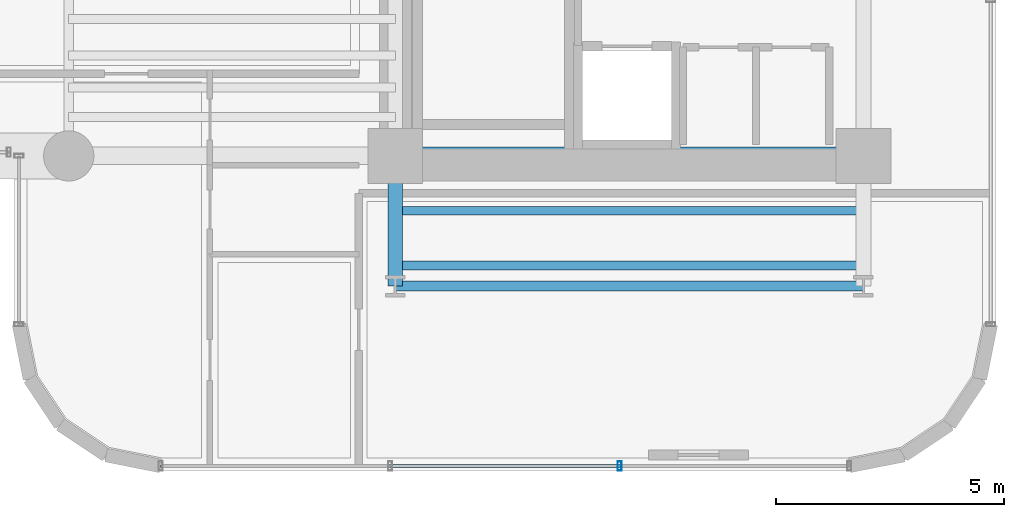
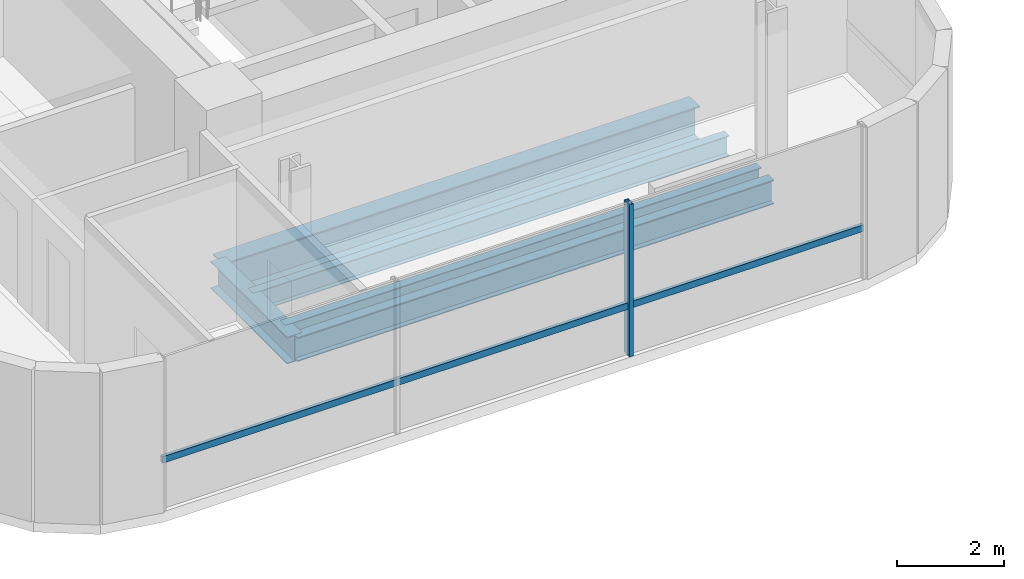
# One storey, part 3 of 38: 5 beams, 2 members, 1 element without a shape of its own.
"""IFC4 building model written with IfcOpenShell, lengths in metres."""

from ifc_helpers import new_model, si_unit, direction, frame, origin, origin_2d, place, context, subcontext, project, spatial, hollow_rectangle, i_section, extrude, source, transform, mapped, material, material_profile, profile_set, type_object, element, aggregate, save


model = new_model("IFC4")

# Units and contexts
model_context = context("Model", 3, precision=1e-05, world=origin(), true_north=direction((0.0, 1.0)))
body_context = subcontext(model_context, "Body", "Model", "MODEL_VIEW")
ifc_project = project(units=[si_unit("LENGTHUNIT", "METRE"), si_unit("AREAUNIT", "SQUARE_METRE"), si_unit("VOLUMEUNIT", "CUBIC_METRE"), si_unit("PLANEANGLEUNIT", "RADIAN"), si_unit("MASSUNIT", "GRAM", prefix="KILO")], contexts=[model_context])

# Site, building, storey
site_placement = place(None, origin())
site = spatial("IfcSite", under=ifc_project, at=site_placement, CompositionType="ELEMENT")
building_placement = place(site_placement, origin())
building = spatial("IfcBuilding", under=site, at=building_placement, Name="Valdorenza Pilgrim Sanctuary Tower", CompositionType="ELEMENT")
storey_placement = place(building_placement, frame((0.0, 0.0, 131.60009765625)))
storey = spatial("IfcBuildingStorey", under=building, at=storey_placement, Name="L33", CompositionType="ELEMENT", Elevation=131.60009765625)

# Beams
ifc_material_1 = material(Name="Steel ASTM A992 Grade 50", Category="steel")
ifc_material_profile_1 = material_profile(ifc_material_1, i_section(OverallWidth=0.214111328125, OverallDepth=0.549072265625, WebThickness=0.0146484375, FlangeThickness=0.023681640625, at=origin_2d()), Name="W21X93")
ifc_profile_set_1 = profile_set([ifc_material_profile_1], Name="Steel ASTM A992 Grade 50")
beam_type_1 = type_object("IfcBeamType", Name="STR-BM-SPN-W21A", PredefinedType="SPANDREL", material=ifc_profile_set_1)
shared_shape_1 = source(origin(), body_context, "Body", "SweptSolid", [
    extrude(i_section(OverallWidth=0.214111328125, OverallDepth=0.549072265625, WebThickness=0.0146484375, FlangeThickness=0.023681640625, at=origin_2d()), origin(), (0.0, 0.0, 1.0), 10.25),
])
beam_1_placement = place(storey_placement, frame((-22.64990234375, -13.449951171875, -0.5146484375), z_axis=(1.0, 0.0, 0.0), x_axis=(0.0, 1.0, 0.0)))
element("IfcBeam", 1, at=beam_1_placement, inside=storey, type_object=beam_type_1, Name="L33 South Spandrel WA-S-TIE", PredefinedType="SPANDREL", context=body_context, shape_type="MappedRepresentation", body=[
    mapped(shared_shape_1, transform((0.0, 0.0, 0.0), x_axis=(1.0, 0.0, 0.0), y_axis=(0.0, 1.0, 0.0), z_axis=(0.0, 0.0, 1.0), scale=1.0)),
])
ifc_material_profile_2 = material_profile(ifc_material_1, i_section(OverallWidth=0.323974609375, OverallDepth=0.611083984375, WebThickness=0.0126953125, FlangeThickness=0.01904296875, at=origin_2d()), Name="W24X104")
ifc_profile_set_2 = profile_set([ifc_material_profile_2], Name="Steel ASTM A992 Grade 50")
beam_type_2 = type_object("IfcBeamType", Name="STR-BM-GRD-W24B", PredefinedType="BEAM", material=ifc_profile_set_2)
shared_shape_2 = source(origin(), body_context, "Body", "SweptSolid", [
    extrude(i_section(OverallWidth=0.323974609375, OverallDepth=0.611083984375, WebThickness=0.0126953125, FlangeThickness=0.01904296875, at=origin_2d()), origin(), (0.0, 0.0, 1.0), 2.849853515625),
])
beam_2_placement = place(storey_placement, frame((-22.64990234375, -13.449951171875, -0.545654296875), z_axis=(0.0, 1.0, 0.0), x_axis=(-1.0, 0.0, 0.0)))
element("IfcBeam", 2, at=beam_2_placement, inside=storey, type_object=beam_type_2, Name="L33 Floor Girder WA-S-LW", PredefinedType="BEAM", context=body_context, shape_type="MappedRepresentation", body=[
    mapped(shared_shape_2, transform((0.0, 0.0, 0.0), x_axis=(1.0, 0.0, 0.0), y_axis=(0.0, 1.0, 0.0), z_axis=(0.0, 0.0, 1.0), scale=1.0)),
])
ifc_material_profile_3 = material_profile(ifc_material_1, i_section(OverallWidth=0.382080078125, OverallDepth=0.779052734375, WebThickness=0.01806640625, FlangeThickness=0.030029296875, at=origin_2d()), Name="W30X191")
ifc_profile_set_3 = profile_set([ifc_material_profile_3], Name="Steel ASTM A992 Grade 50")
beam_type_3 = type_object("IfcBeamType", Name="STR-BM-GRD-W30", PredefinedType="BEAM", material=ifc_profile_set_3)
shared_shape_3 = source(origin(), body_context, "Body", "SweptSolid", [
    extrude(i_section(OverallWidth=0.382080078125, OverallDepth=0.779052734375, WebThickness=0.01806640625, FlangeThickness=0.030029296875, at=origin_2d()), origin(), (0.0, 0.0, 1.0), 10.25),
])
beam_3_placement = place(storey_placement, frame((-22.64990234375, -10.60009765625, -0.629638671875), z_axis=(1.0, 0.0, 0.0), x_axis=(0.0, 1.0, 0.0)))
element("IfcBeam", 3, at=beam_3_placement, inside=storey, type_object=beam_type_3, Name="L33 Floor Girder CA-XC-S1", PredefinedType="BEAM", context=body_context, shape_type="MappedRepresentation", body=[
    mapped(shared_shape_3, transform((0.0, 0.0, 0.0), x_axis=(1.0, 0.0, 0.0), y_axis=(0.0, 1.0, 0.0), z_axis=(0.0, 0.0, 1.0), scale=1.0)),
])
ifc_material_profile_4 = material_profile(ifc_material_1, i_section(OverallWidth=0.19091796875, OverallDepth=0.45703125, WebThickness=0.009033203125, FlangeThickness=0.014404296875, at=origin_2d()), Name="W18X50")
ifc_profile_set_4 = profile_set([ifc_material_profile_4], Name="Steel ASTM A992 Grade 50")
beam_type_4 = type_object("IfcBeamType", Name="STR-BM-JST-W18B", PredefinedType="JOIST", material=ifc_profile_set_4)
shared_shape_4 = source(origin(), body_context, "Body", "SweptSolid", [
    extrude(i_section(OverallWidth=0.19091796875, OverallDepth=0.45703125, WebThickness=0.009033203125, FlangeThickness=0.014404296875, at=origin_2d()), origin(), (0.0, 0.0, 1.0), 10.25),
])
for number, where, z_axis, x_axis, name in (
    (4, (-22.64990234375, -13.0, -0.468505859375), (1.0, 0.0, 0.0), (0.0, 1.0, 0.0), "L33 Composite Floor Joist JST-WAS-1"),
    (5, (-22.64990234375, -11.800048828125, -0.468505859375), (1.0, 0.0, 0.0), (0.0, 1.0, 0.0), "L33 Composite Floor Joist JST-WAS-2"),
):
    element("IfcBeam", number, at=place(storey_placement, frame(where, z_axis=z_axis, x_axis=x_axis)), inside=storey, type_object=beam_type_4, Name=name, PredefinedType="JOIST", context=body_context, shape_type="MappedRepresentation", body=[
        mapped(shared_shape_4, transform((0.0, 0.0, 0.0), x_axis=(1.0, 0.0, 0.0), y_axis=(0.0, 1.0, 0.0), z_axis=(0.0, 0.0, 1.0), scale=1.0)),
    ])

# Curtain wall, members
ifc_material_2 = material(Name="Curtain-wall IGU glazing", Category="glass")
curtain_wall_type = type_object("IfcCurtainWallType", Name="CW-SYS-02", PredefinedType="NOTDEFINED", material=ifc_material_2)
curtain_wall_placement = place(storey_placement, origin())
curtain_wall = element("IfcCurtainWall", 6, at=curtain_wall_placement, inside=storey, type_object=curtain_wall_type, Name="L33 Curtain Wall CW-L33-1-46", PredefinedType="NOTDEFINED")
ifc_material_3 = material(Name="Anodised aluminium AW-6060", Category="aluminium")
ifc_material_profile_5 = material_profile(ifc_material_3, hollow_rectangle(XDim=0.0849609375, YDim=0.199951171875, WallThickness=0.0048828125, at=origin_2d()), Name="ALU-M 200x85x5")
ifc_profile_set_5 = profile_set([ifc_material_profile_5], Name="Anodised aluminium AW-6060")
member_type_1 = type_object("IfcMemberType", Name="CW-MUL-02", PredefinedType="MULLION", material=ifc_profile_set_5)
shared_shape_5 = source(origin(), body_context, "Body", "SweptSolid", [
    extrude(hollow_rectangle(XDim=0.0849609375, YDim=0.199951171875, WallThickness=0.0048828125, at=origin_2d()), origin(), (0.0, 0.0, 1.0), 3.4599609375),
])
member_1_placement = place(storey_placement, frame((-17.73681640625, -17.389892578125, 0.0), z_axis=(0.0, 0.0, 1.0), x_axis=(-1.0, 0.0, 0.0)))
member_1 = element("IfcMember", 7, at=member_1_placement, type_object=member_type_1, Name="CW-L33-1-46 Mullion 2", PredefinedType="MULLION", context=body_context, shape_type="MappedRepresentation", body=[
    mapped(shared_shape_5, transform((0.0, 0.0, 0.0), x_axis=(1.0, 0.0, 0.0), y_axis=(0.0, 1.0, 0.0), z_axis=(0.0, 0.0, 1.0), scale=1.0)),
])
ifc_material_profile_6 = material_profile(ifc_material_3, hollow_rectangle(XDim=0.074951171875, YDim=0.14990234375, WallThickness=0.00390625, at=origin_2d()), Name="ALU-T 150x75x4")
ifc_profile_set_6 = profile_set([ifc_material_profile_6], Name="Anodised aluminium AW-6060")
member_type_2 = type_object("IfcMemberType", Name="CW-TRN-02", PredefinedType="USERDEFINED", material=ifc_profile_set_6)
shared_shape_6 = source(origin(), body_context, "Body", "SweptSolid", [
    extrude(hollow_rectangle(XDim=0.074951171875, YDim=0.14990234375, WallThickness=0.00390625, at=origin_2d()), origin(), (0.0, 0.0, 1.0), 15.07861328125),
])
member_2_placement = place(storey_placement, frame((-12.710693359375, -17.389892578125, 1.119873046875), z_axis=(-1.0, 0.0, 0.0), x_axis=(0.0, -1.0, 0.0)))
member_2 = element("IfcMember", 8, at=member_2_placement, type_object=member_type_2, Name="CW-L33-1-46 Transom 1", ObjectType="TRANSOM", PredefinedType="USERDEFINED", context=body_context, shape_type="MappedRepresentation", body=[
    mapped(shared_shape_6, transform((0.0, 0.0, 0.0), x_axis=(1.0, 0.0, 0.0), y_axis=(0.0, 1.0, 0.0), z_axis=(0.0, 0.0, 1.0), scale=1.0)),
])
aggregate(curtain_wall, [member_1, member_2])

save(model, "model.ifc")
